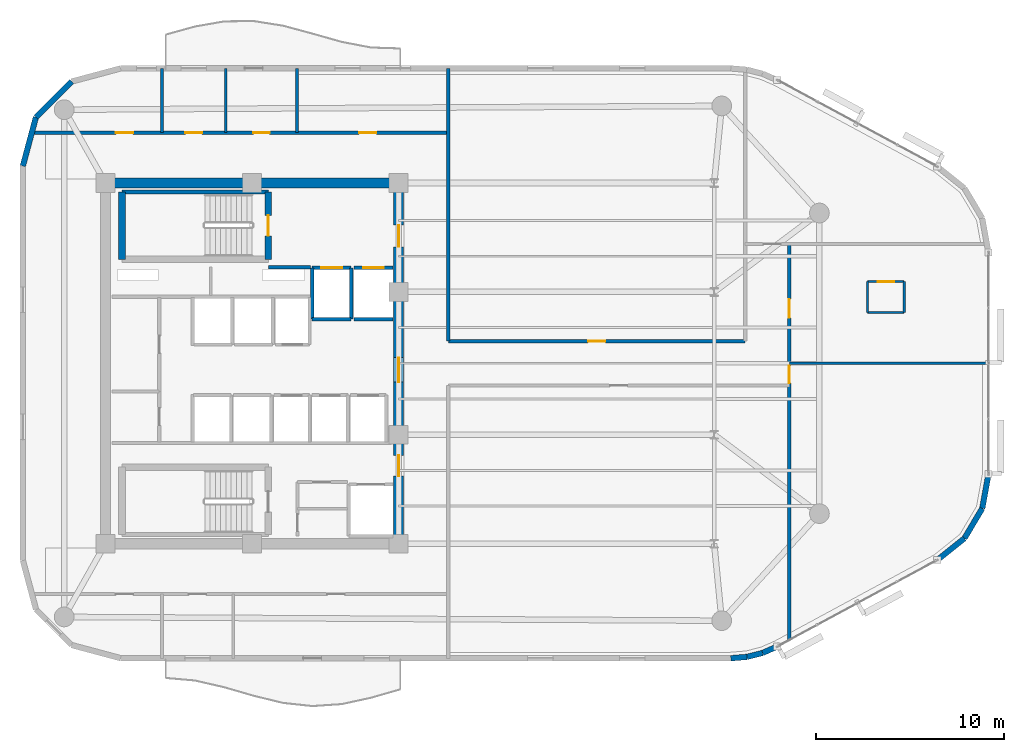
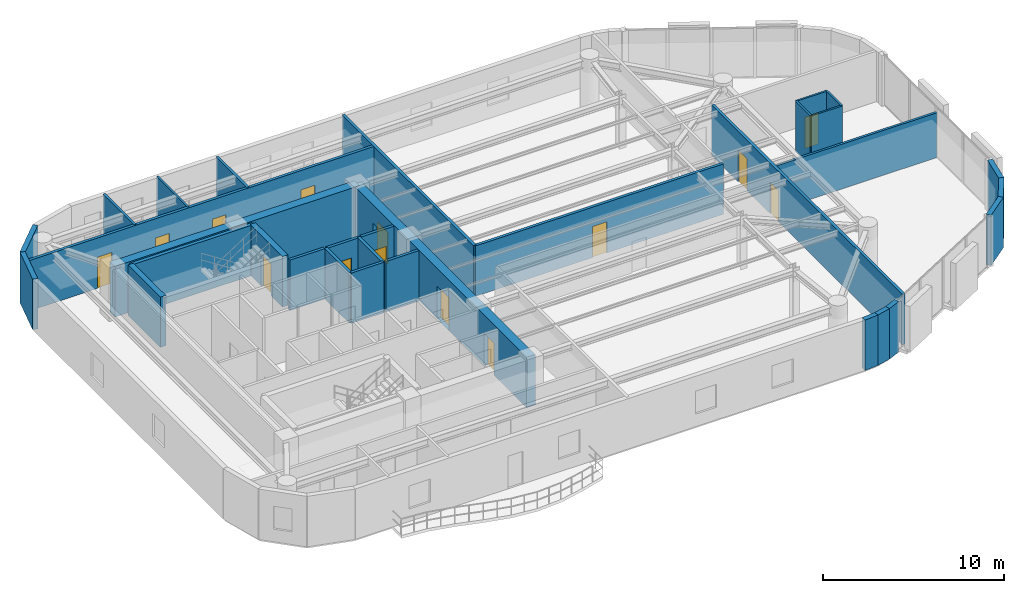
# One storey, part 10 of 13: 32 walls, 14 doors, 14 openings.
"""IFC4 building model written with IfcOpenShell, lengths in metres."""

from ifc_helpers import new_model, si_unit, direction, frame, frame_2d, origin, place, context, subcontext, project, spatial, rectangle, extrude, material, layer, layer_set, type_object, element, fill, save


model = new_model("IFC4")

# Units and contexts
model_context = context("Model", 3, precision=1e-05, world=origin(), true_north=direction((0.0, 1.0)))
body_context = subcontext(model_context, "Body", "Model", "MODEL_VIEW")
ifc_project = project(units=[si_unit("LENGTHUNIT", "METRE"), si_unit("AREAUNIT", "SQUARE_METRE"), si_unit("VOLUMEUNIT", "CUBIC_METRE"), si_unit("PLANEANGLEUNIT", "RADIAN"), si_unit("MASSUNIT", "GRAM", prefix="KILO")], contexts=[model_context])

# Site, building, storey
site_placement = place(None, origin())
site = spatial("IfcSite", under=ifc_project, at=site_placement, CompositionType="ELEMENT")
building_placement = place(site_placement, origin())
building = spatial("IfcBuilding", under=site, at=building_placement, Name="An Khanh Terracotta Commons", CompositionType="ELEMENT")
storey_placement = place(building_placement, frame((0.0, 0.0, 201.300048828125)))
storey = spatial("IfcBuildingStorey", under=building, at=storey_placement, Name="L52", CompositionType="ELEMENT", Elevation=201.300048828125)

# Wall
ifc_material_1 = material(Name="Concrete C50/60", Category="concrete")
ifc_layer_1 = layer(ifc_material_1, 0.550048828125, Name="Concrete C50/60")
ifc_layer_set_1 = layer_set([ifc_layer_1], Name="Concrete C50/60")
wall_type_1 = type_object("IfcWallType", Name="WALL-CORE-550", PredefinedType="SHEAR", material=ifc_layer_set_1)
wall_1_placement = place(storey_placement, frame((21.60009765625, 33.60009765625, 0.0), z_axis=(0.0, 0.0, 1.0), x_axis=(1.0, 0.0, 0.0)))
element("IfcWall", 1, at=wall_1_placement, inside=storey, type_object=wall_type_1, Name="L52 Core Wall CWALL-L52-N", PredefinedType="SHEAR", context=body_context, shape_type="SweptSolid", body=[
    extrude(rectangle(XDim=15.599853515625, YDim=0.550048828125, at=frame_2d((7.7998046875, 0.0))), origin(), (0.0, 0.0, 1.0), 3.39990234375),
])

# Wall, openings, doors
wall_2_placement = place(storey_placement, frame((37.199951171875, 14.39990234375, 0.0), z_axis=(0.0, 0.0, 1.0), x_axis=(0.0, 1.0, 0.0)))
wall_2 = element("IfcWall", 2, at=wall_2_placement, inside=storey, type_object=wall_type_1, Name="L52 Core Wall CWALL-L52-E", PredefinedType="SHEAR", context=body_context, shape_type="SweptSolid", body=[
    extrude(rectangle(XDim=19.2001953125, YDim=0.550048828125, at=frame_2d((9.60009765625, 0.0))), origin(), (0.0, 0.0, 1.0), 3.39990234375),
])
opening_1_placement = place(wall_2_placement, frame((15.800048828125, 0.0, 0.0)))
opening_1 = element("IfcOpeningElement", 3, at=opening_1_placement, cuts=wall_2, Name="Opening D-FFL", PredefinedType="OPENING", context=body_context, shape_type="SweptSolid", body=[
    extrude(rectangle(XDim=1.14990234375, YDim=2.14990234375, at=frame_2d((0.574951171875, 1.074951171875))), frame((0.0, 0.284912109375, 0.0), z_axis=(0.0, -1.0, 0.0), x_axis=(1.0, 0.0, 0.0)), (0.0, 0.0, 1.0), 0.570068359375),
])
opening_2_placement = place(wall_2_placement, frame((3.60009765625, 0.0, 0.0)))
opening_2 = element("IfcOpeningElement", 4, at=opening_2_placement, cuts=wall_2, Name="Opening D-ST", PredefinedType="OPENING", context=body_context, shape_type="SweptSolid", body=[
    extrude(rectangle(XDim=1.10009765625, YDim=2.14990234375, at=frame_2d((0.550048828125, 1.074951171875))), frame((0.0, 0.284912109375, 0.0), z_axis=(0.0, -1.0, 0.0), x_axis=(1.0, 0.0, 0.0)), (0.0, 0.0, 1.0), 0.570068359375),
])
opening_3_placement = place(wall_2_placement, frame((8.60009765625, 0.0, 0.0)))
opening_3 = element("IfcOpeningElement", 5, at=opening_3_placement, cuts=wall_2, Name="Opening D-COR", PredefinedType="OPENING", context=body_context, shape_type="SweptSolid", body=[
    extrude(rectangle(XDim=1.300048828125, YDim=2.199951171875, at=frame_2d((0.64990234375, 1.10009765625))), frame((0.0, 0.284912109375, 0.0), z_axis=(0.0, -1.0, 0.0), x_axis=(1.0, 0.0, 0.0)), (0.0, 0.0, 1.0), 0.570068359375),
])
ifc_material_2 = material(Name="Fire-Rated Glazed Steel Double Door", Category="steel")
door_type_1 = type_object("IfcDoorType", Name="DOOR-CORR-1300", OperationType="NOTDEFINED", PredefinedType="DOOR", material=ifc_material_2)
door_1_placement = place(opening_3_placement, origin())
door_1 = element("IfcDoor", 6, at=door_1_placement, inside=storey, type_object=door_type_1, Name="L52 Passenger Lift Lobby Double Door", OperationType="DOUBLE_DOOR_SINGLE_SWING", OverallHeight=2.199951171875, OverallWidth=1.300048828125, PredefinedType="DOOR", context=body_context, shape_type="SweptSolid", body=[
    extrude(rectangle(XDim=1.300048828125, YDim=2.199951171875, at=frame_2d((0.64990234375, 1.10009765625))), frame((0.0, 0.02490234375, 0.0), z_axis=(0.0, -1.0, 0.0), x_axis=(1.0, 0.0, 0.0)), (0.0, 0.0, 1.0), 0.050048828125),
])
fill(opening_3, door_1)
ifc_material_3 = material(Name="Fire-Rated Steel Leaf and Vision Panel", Category="steel")
door_type_2 = type_object("IfcDoorType", Name="DOOR-FFL-1150", OperationType="NOTDEFINED", PredefinedType="DOOR", material=ifc_material_3)
door_2_placement = place(opening_1_placement, origin())
door_2 = element("IfcDoor", 7, at=door_2_placement, inside=storey, type_object=door_type_2, Name="L52 Firefighting Lift Lobby Fire Door", OperationType="SINGLE_SWING_RIGHT", OverallHeight=2.14990234375, OverallWidth=1.14990234375, PredefinedType="DOOR", context=body_context, shape_type="SweptSolid", body=[
    extrude(rectangle(XDim=1.14990234375, YDim=2.14990234375, at=frame_2d((0.574951171875, 1.074951171875))), frame((0.0, 0.02490234375, 0.0), z_axis=(0.0, -1.0, 0.0), x_axis=(1.0, 0.0, 0.0)), (0.0, 0.0, 1.0), 0.050048828125),
])
fill(opening_1, door_2)
ifc_material_4 = material(Name="Fire-Rated Steel Leaf and Frame", Category="steel")
door_type_3 = type_object("IfcDoorType", Name="DOOR-STAIR-1100", OperationType="NOTDEFINED", PredefinedType="DOOR", material=ifc_material_4)
door_3_placement = place(opening_2_placement, origin())
door_3 = element("IfcDoor", 8, at=door_3_placement, inside=storey, type_object=door_type_3, Name="L52 South Stair Lobby Fire Door", OperationType="SINGLE_SWING_LEFT", OverallHeight=2.14990234375, OverallWidth=1.10009765625, PredefinedType="DOOR", context=body_context, shape_type="SweptSolid", body=[
    extrude(rectangle(XDim=1.10009765625, YDim=2.14990234375, at=frame_2d((0.550048828125, 1.074951171875))), frame((0.0, 0.02490234375, 0.0), z_axis=(0.0, -1.0, 0.0), x_axis=(1.0, 0.0, 0.0)), (0.0, 0.0, 1.0), 0.050048828125),
])
fill(opening_2, door_3)

# Wall
ifc_material_5 = material(Name="Fire-Rated Gypsum Board on Steel Stud", Category="steel")
ifc_layer_2 = layer(ifc_material_5, 0.179931640625, Name="Fire-Rated Gypsum Board on Steel Stud")
ifc_layer_set_2 = layer_set([ifc_layer_2], Name="Fire-Rated Gypsum Board on Steel Stud")
wall_type_2 = type_object("IfcWallType", Name="WALL-CORR-180", PredefinedType="PARTITIONING", material=ifc_layer_set_2)
wall_3_placement = place(storey_placement, frame((30.27001953125, 29.1201171875, 0.0), z_axis=(0.0, 0.0, 1.0), x_axis=(1.0, 0.0, 0.0)))
element("IfcWall", 9, at=wall_3_placement, inside=storey, type_object=wall_type_2, Name="L52 Core Wall FFLW-L52-S", PredefinedType="PARTITIONING", context=body_context, shape_type="SweptSolid", body=[
    extrude(rectangle(XDim=2.239990234375, YDim=0.179931640625, at=frame_2d((1.1201171875, 0.0))), origin(), (0.0, 0.0, 1.0), 3.39990234375),
])

# Wall, opening, door
wall_4_placement = place(storey_placement, frame((32.60009765625, 29.080078125, 0.0), z_axis=(0.0, 0.0, 1.0), x_axis=(1.0, 0.0, 0.0)))
wall_4 = element("IfcWall", 10, at=wall_4_placement, inside=storey, type_object=wall_type_2, Name="L52 Core Wall LSH-L52-FFL-01-N", PredefinedType="PARTITIONING", context=body_context, shape_type="SweptSolid", body=[
    extrude(rectangle(XDim=2.079833984375, YDim=0.179931640625, at=frame_2d((1.0400390625, 0.0))), origin(), (0.0, 0.0, 1.0), 3.39990234375),
])
opening_4_placement = place(wall_4_placement, frame((0.489990234375, 0.0, 0.0)))
opening_4 = element("IfcOpeningElement", 11, at=opening_4_placement, cuts=wall_4, Name="Opening LD-FFL-01-L52", PredefinedType="OPENING", context=body_context, shape_type="SweptSolid", body=[
    extrude(rectangle(XDim=1.10009765625, YDim=2.199951171875, at=frame_2d((0.550048828125, 1.10009765625))), frame((0.0, 0.099853515625, 0.0), z_axis=(0.0, -1.0, 0.0), x_axis=(1.0, 0.0, 0.0)), (0.0, 0.0, 1.0), 0.199951171875),
])
ifc_material_6 = material(Name="Brushed Stainless Steel Fire Landing Door", Category="steel")
door_type_4 = type_object("IfcDoorType", Name="DOOR-LD-FFL-1100", OperationType="NOTDEFINED", PredefinedType="DOOR", material=ifc_material_6)
door_4_placement = place(opening_4_placement, origin())
door_4 = element("IfcDoor", 12, at=door_4_placement, inside=storey, type_object=door_type_4, Name="L52 Lift FFL-01 Sliding Landing Door", OperationType="DOUBLE_DOOR_SLIDING", OverallHeight=2.199951171875, OverallWidth=1.10009765625, PredefinedType="DOOR", context=body_context, shape_type="SweptSolid", body=[
    extrude(rectangle(XDim=1.10009765625, YDim=2.199951171875, at=frame_2d((0.550048828125, 1.10009765625))), frame((0.0, 0.02490234375, 0.0), z_axis=(0.0, -1.0, 0.0), x_axis=(1.0, 0.0, 0.0)), (0.0, 0.0, 1.0), 0.050048828125),
])
fill(opening_4, door_4)

# Walls
wall_5_placement = place(storey_placement, frame((34.679931640625, 26.35009765625, 0.0), z_axis=(0.0, 0.0, 1.0), x_axis=(-1.0, 0.0, 0.0)))
element("IfcWall", 13, at=wall_5_placement, inside=storey, type_object=wall_type_2, Name="L52 Core Wall LSH-L52-FFL-01-S", PredefinedType="PARTITIONING", context=body_context, shape_type="SweptSolid", body=[
    extrude(rectangle(XDim=2.079833984375, YDim=0.179931640625, at=frame_2d((1.0400390625, 0.0))), origin(), (0.0, 0.0, 1.0), 3.39990234375),
])
for number, where, z_axis, x_axis, name in (
    (14, (34.679931640625, 26.35009765625, 0.0), (0.0, 0.0, 1.0), (0.0, 1.0, 0.0), "L52 Core Wall LSH-L52-FFL-01-E"),
    (15, (32.60009765625, 29.080078125, 0.0), (0.0, 0.0, 1.0), (0.0, -1.0, 0.0), "L52 Core Wall LSH-L52-FFL-01-W"),
):
    element("IfcWall", number, at=place(storey_placement, frame(where, z_axis=z_axis, x_axis=x_axis)), inside=storey, type_object=wall_type_2, Name=name, PredefinedType="PARTITIONING", context=body_context, shape_type="SweptSolid", body=[
        extrude(rectangle(XDim=2.72998046875, YDim=0.179931640625, at=frame_2d((1.364990234375, 0.0))), origin(), (0.0, 0.0, 1.0), 3.39990234375),
    ])

# Wall, opening, door
wall_6_placement = place(storey_placement, frame((34.820068359375, 29.080078125, 0.0), z_axis=(0.0, 0.0, 1.0), x_axis=(1.0, 0.0, 0.0)))
wall_6 = element("IfcWall", 16, at=wall_6_placement, inside=storey, type_object=wall_type_2, Name="L52 Core Wall LSH-L52-FFL-02-N", PredefinedType="PARTITIONING", context=body_context, shape_type="SweptSolid", body=[
    extrude(rectangle(XDim=2.079833984375, YDim=0.179931640625, at=frame_2d((1.0400390625, 0.0))), origin(), (0.0, 0.0, 1.0), 3.39990234375),
])
opening_5_placement = place(wall_6_placement, frame((0.489990234375, 0.0, 0.0)))
opening_5 = element("IfcOpeningElement", 17, at=opening_5_placement, cuts=wall_6, Name="Opening LD-FFL-02-L52", PredefinedType="OPENING", context=body_context, shape_type="SweptSolid", body=[
    extrude(rectangle(XDim=1.10009765625, YDim=2.199951171875, at=frame_2d((0.550048828125, 1.10009765625))), frame((0.0, 0.099853515625, 0.0), z_axis=(0.0, -1.0, 0.0), x_axis=(1.0, 0.0, 0.0)), (0.0, 0.0, 1.0), 0.199951171875),
])
door_5_placement = place(opening_5_placement, origin())
door_5 = element("IfcDoor", 18, at=door_5_placement, inside=storey, type_object=door_type_4, Name="L52 Lift FFL-02 Sliding Landing Door", OperationType="DOUBLE_DOOR_SLIDING", OverallHeight=2.199951171875, OverallWidth=1.10009765625, PredefinedType="DOOR", context=body_context, shape_type="SweptSolid", body=[
    extrude(rectangle(XDim=1.10009765625, YDim=2.199951171875, at=frame_2d((0.550048828125, 1.10009765625))), frame((0.0, 0.02490234375, 0.0), z_axis=(0.0, -1.0, 0.0), x_axis=(1.0, 0.0, 0.0)), (0.0, 0.0, 1.0), 0.050048828125),
])
fill(opening_5, door_5)

# Wall
wall_7_placement = place(storey_placement, frame((36.89990234375, 26.35009765625, 0.0), z_axis=(0.0, 0.0, 1.0), x_axis=(-1.0, 0.0, 0.0)))
element("IfcWall", 19, at=wall_7_placement, inside=storey, type_object=wall_type_2, Name="L52 Core Wall LSH-L52-FFL-02-S", PredefinedType="PARTITIONING", context=body_context, shape_type="SweptSolid", body=[
    extrude(rectangle(XDim=2.079833984375, YDim=0.179931640625, at=frame_2d((1.0400390625, 0.0))), origin(), (0.0, 0.0, 1.0), 3.39990234375),
])

# Wall, opening, door
wall_8_placement = place(storey_placement, frame((39.85009765625, 25.179931640625, 0.0), z_axis=(0.0, 0.0, 1.0), x_axis=(1.0, 0.0, 0.0)))
wall_8 = element("IfcWall", 20, at=wall_8_placement, inside=storey, type_object=wall_type_2, Name="L52 Interior Partition IW-L52-E004", PredefinedType="PARTITIONING", context=body_context, shape_type="SweptSolid", body=[
    extrude(rectangle(XDim=15.7998046875, YDim=0.179931640625, at=frame_2d((7.89990234375, 0.0))), origin(), (0.0, 0.0, 1.0), 3.39990234375),
])
opening_6_placement = place(wall_8_placement, frame((7.43994140625, 0.0, 0.0)))
opening_6 = element("IfcOpeningElement", 21, at=opening_6_placement, cuts=wall_8, Name="Opening D-RM", PredefinedType="OPENING", context=body_context, shape_type="SweptSolid", body=[
    extrude(rectangle(XDim=0.919921875, YDim=2.10009765625, at=frame_2d((0.4599609375, 1.050048828125))), frame((0.0, 0.099853515625, 0.0), z_axis=(0.0, -1.0, 0.0), x_axis=(1.0, 0.0, 0.0)), (0.0, 0.0, 1.0), 0.199951171875),
])
ifc_material_7 = material(Name="Engineered Hardwood Timber Leaf", Category="wood")
door_type_5 = type_object("IfcDoorType", Name="DOOR-INT-920", OperationType="NOTDEFINED", PredefinedType="DOOR", material=ifc_material_7)
door_6_placement = place(opening_6_placement, origin())
door_6 = element("IfcDoor", 22, at=door_6_placement, inside=storey, type_object=door_type_5, Name="L52 ZW1 Collaborative Study Lounge Door", OperationType="SINGLE_SWING_RIGHT", OverallHeight=2.10009765625, OverallWidth=0.919921875, PredefinedType="DOOR", context=body_context, shape_type="SweptSolid", body=[
    extrude(rectangle(XDim=0.919921875, YDim=2.10009765625, at=frame_2d((0.4599609375, 1.050048828125))), frame((0.0, 0.02490234375, 0.0), z_axis=(0.0, -1.0, 0.0), x_axis=(1.0, 0.0, 0.0)), (0.0, 0.0, 1.0), 0.050048828125),
])
fill(opening_6, door_6)

# Wall, openings, doors
wall_9_placement = place(storey_placement, frame((17.677001953125, 36.280029296875, 0.0), z_axis=(0.0, 0.0, 1.0), x_axis=(1.0, 0.0, 0.0)))
wall_9 = element("IfcWall", 23, at=wall_9_placement, inside=storey, type_object=wall_type_2, Name="L52 Interior Partition IW-L52-E006", PredefinedType="PARTITIONING", context=body_context, shape_type="SweptSolid", body=[
    extrude(rectangle(XDim=22.173095703125, YDim=0.179931640625, at=frame_2d((11.08642578125, 0.0))), origin(), (0.0, 0.0, 1.0), 3.39990234375),
])
opening_7_placement = place(wall_9_placement, frame((8.173095703125, 0.0, 0.0)))
opening_7 = element("IfcOpeningElement", 24, at=opening_7_placement, cuts=wall_9, Name="Opening D-WC", PredefinedType="OPENING", context=body_context, shape_type="SweptSolid", body=[
    extrude(rectangle(XDim=0.89990234375, YDim=2.10009765625, at=frame_2d((0.449951171875, 1.050048828125))), frame((0.0, 0.099853515625, 0.0), z_axis=(0.0, -1.0, 0.0), x_axis=(1.0, 0.0, 0.0)), (0.0, 0.0, 1.0), 0.199951171875),
])
opening_8_placement = place(wall_9_placement, frame((11.79296875, 0.0, 0.0)))
opening_8 = element("IfcOpeningElement", 25, at=opening_8_placement, cuts=wall_9, Name="Opening D-ENS", PredefinedType="OPENING", context=body_context, shape_type="SweptSolid", body=[
    extrude(rectangle(XDim=0.860107421875, YDim=2.10009765625, at=frame_2d((0.43017578125, 1.050048828125))), frame((0.0, 0.099853515625, 0.0), z_axis=(0.0, -1.0, 0.0), x_axis=(1.0, 0.0, 0.0)), (0.0, 0.0, 1.0), 0.199951171875),
])
opening_9_placement = place(wall_9_placement, frame((4.47900390625, 0.0, 0.0)))
opening_9 = element("IfcOpeningElement", 26, at=opening_9_placement, cuts=wall_9, Name="Opening D-RM", PredefinedType="OPENING", context=body_context, shape_type="SweptSolid", body=[
    extrude(rectangle(XDim=0.919921875, YDim=2.10009765625, at=frame_2d((0.4599609375, 1.050048828125))), frame((0.0, 0.099853515625, 0.0), z_axis=(0.0, -1.0, 0.0), x_axis=(1.0, 0.0, 0.0)), (0.0, 0.0, 1.0), 0.199951171875),
])
opening_10_placement = place(wall_9_placement, frame((17.427978515625, 0.0, 0.0)))
opening_10 = element("IfcOpeningElement", 27, at=opening_10_placement, cuts=wall_9, Name="Opening D-RM", PredefinedType="OPENING", context=body_context, shape_type="SweptSolid", body=[
    extrude(rectangle(XDim=0.919921875, YDim=2.10009765625, at=frame_2d((0.4599609375, 1.050048828125))), frame((0.0, 0.099853515625, 0.0), z_axis=(0.0, -1.0, 0.0), x_axis=(1.0, 0.0, 0.0)), (0.0, 0.0, 1.0), 0.199951171875),
])
ifc_material_8 = material(Name="Moisture-Resistant Hardwood Timber Leaf", Category="wood")
door_type_6 = type_object("IfcDoorType", Name="DOOR-BATH-860", OperationType="NOTDEFINED", PredefinedType="DOOR", material=ifc_material_8)
door_7_placement = place(opening_8_placement, origin())
door_7 = element("IfcDoor", 28, at=door_7_placement, inside=storey, type_object=door_type_6, Name="L52 SHW Resident Shared Shower and Washroom Door", OperationType="SINGLE_SWING_RIGHT", OverallHeight=2.10009765625, OverallWidth=0.860107421875, PredefinedType="DOOR", context=body_context, shape_type="SweptSolid", body=[
    extrude(rectangle(XDim=0.860107421875, YDim=2.10009765625, at=frame_2d((0.43017578125, 1.050048828125))), frame((0.0, 0.02490234375, 0.0), z_axis=(0.0, -1.0, 0.0), x_axis=(1.0, 0.0, 0.0)), (0.0, 0.0, 1.0), 0.050048828125),
])
fill(opening_8, door_7)
door_8_placement = place(opening_9_placement, origin())
door_8 = element("IfcDoor", 29, at=door_8_placement, inside=storey, type_object=door_type_5, Name="L52 NW1 Co-Living Private Bedroom Door", OperationType="SINGLE_SWING_LEFT", OverallHeight=2.10009765625, OverallWidth=0.919921875, PredefinedType="DOOR", context=body_context, shape_type="SweptSolid", body=[
    extrude(rectangle(XDim=0.919921875, YDim=2.10009765625, at=frame_2d((0.4599609375, 1.050048828125))), frame((0.0, 0.02490234375, 0.0), z_axis=(0.0, -1.0, 0.0), x_axis=(1.0, 0.0, 0.0)), (0.0, 0.0, 1.0), 0.050048828125),
])
fill(opening_9, door_8)
door_9_placement = place(opening_10_placement, origin())
door_9 = element("IfcDoor", 30, at=door_9_placement, inside=storey, type_object=door_type_5, Name="L52 NWE Student Reading Library Door", OperationType="SINGLE_SWING_RIGHT", OverallHeight=2.10009765625, OverallWidth=0.919921875, PredefinedType="DOOR", context=body_context, shape_type="SweptSolid", body=[
    extrude(rectangle(XDim=0.919921875, YDim=2.10009765625, at=frame_2d((0.4599609375, 1.050048828125))), frame((0.0, 0.02490234375, 0.0), z_axis=(0.0, -1.0, 0.0), x_axis=(1.0, 0.0, 0.0)), (0.0, 0.0, 1.0), 0.050048828125),
])
fill(opening_10, door_9)
ifc_material_9 = material(Name="Laminate Moisture-Resistant Timber Leaf", Category="wood")
door_type_7 = type_object("IfcDoorType", Name="DOOR-WC-900", OperationType="NOTDEFINED", PredefinedType="DOOR", material=ifc_material_9)
door_10_placement = place(opening_7_placement, origin())
door_10 = element("IfcDoor", 31, at=door_10_placement, inside=storey, type_object=door_type_7, Name="L52 AWC Accessible WC Door", OperationType="SINGLE_SWING_LEFT", OverallHeight=2.10009765625, OverallWidth=0.89990234375, PredefinedType="DOOR", context=body_context, shape_type="SweptSolid", body=[
    extrude(rectangle(XDim=0.89990234375, YDim=2.10009765625, at=frame_2d((0.449951171875, 1.050048828125))), frame((0.0, 0.02490234375, 0.0), z_axis=(0.0, -1.0, 0.0), x_axis=(1.0, 0.0, 0.0)), (0.0, 0.0, 1.0), 0.050048828125),
])
fill(opening_7, door_10)

# Wall
wall_10_placement = place(storey_placement, frame((39.85009765625, 25.179931640625, 0.0), z_axis=(0.0, 0.0, 1.0), x_axis=(0.0, 1.0, 0.0)))
element("IfcWall", 32, at=wall_10_placement, inside=storey, type_object=wall_type_2, Name="L52 Interior Partition IW-L52-E013", PredefinedType="PARTITIONING", context=body_context, shape_type="SweptSolid", body=[
    extrude(rectangle(XDim=14.52001953125, YDim=0.179931640625, at=frame_2d((7.260009765625, 0.0))), origin(), (0.0, 0.0, 1.0), 3.39990234375),
])

# Wall, openings, doors
wall_11_placement = place(storey_placement, frame((58.0, 9.27197265625, 0.0), z_axis=(0.0, 0.0, 1.0), x_axis=(0.0, 1.0, 0.0)))
wall_11 = element("IfcWall", 33, at=wall_11_placement, inside=storey, type_object=wall_type_2, Name="L52 Interior Partition IW-L52-E015", PredefinedType="PARTITIONING", context=body_context, shape_type="SweptSolid", body=[
    extrude(rectangle(XDim=21.078125, YDim=0.179931640625, at=frame_2d((10.5390625, 0.0))), origin(), (0.0, 0.0, 1.0), 3.39990234375),
])
opening_11_placement = place(wall_11_placement, frame((17.14306640625, 0.0, 0.0)))
opening_11 = element("IfcOpeningElement", 34, at=opening_11_placement, cuts=wall_11, Name="Opening D-UN", PredefinedType="OPENING", context=body_context, shape_type="SweptSolid", body=[
    extrude(rectangle(XDim=1.0, YDim=2.14990234375, at=frame_2d((0.5, 1.074951171875))), frame((0.0, 0.099853515625, 0.0), z_axis=(0.0, -1.0, 0.0), x_axis=(1.0, 0.0, 0.0)), (0.0, 0.0, 1.0), 0.199951171875),
])
opening_12_placement = place(wall_11_placement, frame((13.677978515625, 0.0, 0.0)))
opening_12 = element("IfcOpeningElement", 35, at=opening_12_placement, cuts=wall_11, Name="Opening D-RM", PredefinedType="OPENING", context=body_context, shape_type="SweptSolid", body=[
    extrude(rectangle(XDim=0.919921875, YDim=2.10009765625, at=frame_2d((0.4599609375, 1.050048828125))), frame((0.0, 0.099853515625, 0.0), z_axis=(0.0, -1.0, 0.0), x_axis=(1.0, 0.0, 0.0)), (0.0, 0.0, 1.0), 0.199951171875),
])
door_11_placement = place(opening_12_placement, origin())
door_11 = element("IfcDoor", 36, at=door_11_placement, inside=storey, type_object=door_type_5, Name="L52 ZE2 Collaborative Study Lounge Door", OperationType="SINGLE_SWING_RIGHT", OverallHeight=2.10009765625, OverallWidth=0.919921875, PredefinedType="DOOR", context=body_context, shape_type="SweptSolid", body=[
    extrude(rectangle(XDim=0.919921875, YDim=2.10009765625, at=frame_2d((0.4599609375, 1.050048828125))), frame((0.0, 0.02490234375, 0.0), z_axis=(0.0, -1.0, 0.0), x_axis=(1.0, 0.0, 0.0)), (0.0, 0.0, 1.0), 0.050048828125),
])
fill(opening_12, door_11)
ifc_material_10 = material(Name="Solid-Core Hardwood Acoustic Fire Door", Category="wood")
door_type_8 = type_object("IfcDoorType", Name="DOOR-UNIT-1000", OperationType="NOTDEFINED", PredefinedType="DOOR", material=ifc_material_10)
door_12_placement = place(opening_11_placement, origin())
door_12 = element("IfcDoor", 37, at=door_12_placement, inside=storey, type_object=door_type_8, Name="L52 ZE1 Kitchenette and Studio Apartment Door", OperationType="SINGLE_SWING_LEFT", OverallHeight=2.14990234375, OverallWidth=1.0, PredefinedType="DOOR", context=body_context, shape_type="SweptSolid", body=[
    extrude(rectangle(XDim=1.0, YDim=2.14990234375, at=frame_2d((0.5, 1.074951171875))), frame((0.0, 0.02490234375, 0.0), z_axis=(0.0, -1.0, 0.0), x_axis=(1.0, 0.0, 0.0)), (0.0, 0.0, 1.0), 0.050048828125),
])
fill(opening_11, door_12)

# Walls
ifc_material_11 = material(Name="Precast concrete C40/50", Category="concrete")
ifc_layer_3 = layer(ifc_material_11, 0.300048828125, Name="Precast concrete C40/50")
ifc_layer_set_3 = layer_set([ifc_layer_3], Name="Precast concrete C40/50")
wall_type_3 = type_object("IfcWallType", Name="WALL-EXT-300", PredefinedType="SOLIDWALL", material=ifc_layer_set_3)
wall_12_placement = place(storey_placement, frame((54.885009765625, 8.300048828125, 0.0), z_axis=(0.0, 0.0, 1.0), x_axis=(0.996565355958, 0.082809971041, 0.0)))
element("IfcWall", 38, at=wall_12_placement, inside=storey, type_object=wall_type_3, Name="L52 Insulated Terracotta Exterior Wall 5", PredefinedType="SOLIDWALL", context=body_context, shape_type="SweptSolid", body=[
    extrude(rectangle(XDim=0.85791015625, YDim=0.300048828125, at=frame_2d((0.428955078125, 0.0))), origin(), (0.0, 0.0, 1.0), 3.39990234375),
])
wall_13_placement = place(storey_placement, frame((55.739990234375, 8.37109375, 0.0), z_axis=(0.0, 0.0, 1.0), x_axis=(0.969536346338, 0.244947490555, 0.0)))
element("IfcWall", 39, at=wall_13_placement, inside=storey, type_object=wall_type_3, Name="L52 Insulated Terracotta Exterior Wall 6", PredefinedType="SOLIDWALL", context=body_context, shape_type="SweptSolid", body=[
    extrude(rectangle(XDim=0.857177734375, YDim=0.300048828125, at=frame_2d((0.4287109375, 0.0))), origin(), (0.0, 0.0, 1.0), 3.39990234375),
])
wall_14_placement = place(storey_placement, frame((56.571044921875, 8.5810546875, 0.0), z_axis=(0.0, 0.0, 1.0), x_axis=(0.916085473636, 0.400983048261, 0.0)))
element("IfcWall", 40, at=wall_14_placement, inside=storey, type_object=wall_type_3, Name="L52 Insulated Terracotta Exterior Wall 7", PredefinedType="SOLIDWALL", context=body_context, shape_type="SweptSolid", body=[
    extrude(rectangle(XDim=0.85791015625, YDim=0.300048828125, at=frame_2d((0.428955078125, 0.0))), origin(), (0.0, 0.0, 1.0), 3.39990234375),
])
wall_15_placement = place(storey_placement, frame((65.8720703125, 13.52587890625, 0.0), z_axis=(0.0, 0.0, 1.0), x_axis=(0.780920189257, 0.624630817372, 0.0)))
element("IfcWall", 41, at=wall_15_placement, inside=storey, type_object=wall_type_3, Name="L52 Insulated Terracotta Exterior Wall 9", PredefinedType="SOLIDWALL", context=body_context, shape_type="SweptSolid", body=[
    extrude(rectangle(XDim=1.854248046875, YDim=0.300048828125, at=frame_2d((0.92724609375, 0.0))), origin(), (0.0, 0.0, 1.0), 3.39990234375),
])
wall_16_placement = place(storey_placement, frame((67.320068359375, 14.68408203125, 0.0), z_axis=(0.0, 0.0, 1.0), x_axis=(0.512072018927, 0.858942516955, 0.0)))
element("IfcWall", 42, at=wall_16_placement, inside=storey, type_object=wall_type_3, Name="L52 Insulated Terracotta Exterior Wall 10", PredefinedType="SOLIDWALL", context=body_context, shape_type="SweptSolid", body=[
    extrude(rectangle(XDim=1.853271484375, YDim=0.300048828125, at=frame_2d((0.9267578125, 0.0))), origin(), (0.0, 0.0, 1.0), 3.39990234375),
])
wall_17_placement = place(storey_placement, frame((68.26904296875, 16.27587890625, 0.0), z_axis=(0.0, 0.0, 1.0), x_axis=(0.178468469252, 0.983945631365, 0.0)))
element("IfcWall", 43, at=wall_17_placement, inside=storey, type_object=wall_type_3, Name="L52 Insulated Terracotta Exterior Wall 11", PredefinedType="SOLIDWALL", context=body_context, shape_type="SweptSolid", body=[
    extrude(rectangle(XDim=1.85498046875, YDim=0.300048828125, at=frame_2d((0.927490234375, 0.0))), origin(), (0.0, 0.0, 1.0), 3.39990234375),
])
wall_18_placement = place(storey_placement, frame((19.800048828125, 39.0029296875, 0.0), z_axis=(0.0, 0.0, 1.0), x_axis=(-0.707152139074, -0.70706142039, 0.0)))
element("IfcWall", 44, at=wall_18_placement, inside=storey, type_object=wall_type_3, Name="L52 Insulated Terracotta Exterior Wall 22", PredefinedType="SOLIDWALL", context=body_context, shape_type="SweptSolid", body=[
    extrude(rectangle(XDim=2.691162109375, YDim=0.300048828125, at=frame_2d((1.345703125, 0.0))), origin(), (0.0, 0.0, 1.0), 3.39990234375),
])
wall_19_placement = place(storey_placement, frame((17.89697265625, 37.10009765625, 0.0), z_axis=(0.0, 0.0, 1.0), x_axis=(-0.258932525951, -0.965895412042, 0.0)))
element("IfcWall", 45, at=wall_19_placement, inside=storey, type_object=wall_type_3, Name="L52 Insulated Terracotta Exterior Wall 23", PredefinedType="SOLIDWALL", context=body_context, shape_type="SweptSolid", body=[
    extrude(rectangle(XDim=2.69189453125, YDim=0.300048828125, at=frame_2d((1.345947265625, 0.0))), origin(), (0.0, 0.0, 1.0), 3.39990234375),
])
ifc_material_12 = material(Name="Acoustic Gypsum Board Partition")
ifc_layer_4 = layer(ifc_material_12, 0.14990234375, Name="Acoustic Gypsum Board Partition")
ifc_layer_set_4 = layer_set([ifc_layer_4], Name="Acoustic Gypsum Board Partition")
wall_type_4 = type_object("IfcWallType", Name="WALL-PART-150", PredefinedType="PARTITIONING", material=ifc_layer_set_4)
wall_20_placement = place(storey_placement, frame((58.0, 24.0, 0.0), z_axis=(0.0, 0.0, 1.0), x_axis=(1.0, 0.0, 0.0)))
element("IfcWall", 46, at=wall_20_placement, inside=storey, type_object=wall_type_4, Name="L52 Interior Partition IW-L52-E003", PredefinedType="PARTITIONING", context=body_context, shape_type="SweptSolid", body=[
    extrude(rectangle(XDim=10.60009765625, YDim=0.14990234375, at=frame_2d((5.300048828125, 0.0))), origin(), (0.0, 0.0, 1.0), 3.02197265625),
])
for number, where, z_axis, x_axis, name in (
    (47, (24.60009765625, 36.280029296875, 0.0), (0.0, 0.0, 1.0), (0.0, 1.0, 0.0), "L52 Interior Partition IW-L52-E008"),
    (48, (31.800048828125, 36.280029296875, 0.0), (0.0, 0.0, 1.0), (0.0, 1.0, 0.0), "L52 Interior Partition IW-L52-E011"),
):
    element("IfcWall", number, at=place(storey_placement, frame(where, z_axis=z_axis, x_axis=x_axis)), inside=storey, type_object=wall_type_4, Name=name, PredefinedType="PARTITIONING", context=body_context, shape_type="SweptSolid", body=[
        extrude(rectangle(XDim=3.419921875, YDim=0.14990234375, at=frame_2d((1.7099609375, 0.0))), origin(), (0.0, 0.0, 1.0), 3.39990234375),
    ])
ifc_material_13 = material(Name="Acoustic Double-Stud Gypsum and Mineral Wool")
ifc_layer_5 = layer(ifc_material_13, 0.219970703125, Name="Acoustic Double-Stud Gypsum and Mineral Wool")
ifc_layer_set_5 = layer_set([ifc_layer_5], Name="Acoustic Double-Stud Gypsum and Mineral Wool")
wall_type_5 = type_object("IfcWallType", Name="WALL-PARTY-220", PredefinedType="PARTITIONING", material=ifc_layer_set_5)
wall_21_placement = place(storey_placement, frame((22.47998046875, 33.110107421875, 0.0), z_axis=(0.0, 0.0, 1.0), x_axis=(1.0, 0.0, 0.0)))
element("IfcWall", 49, at=wall_21_placement, inside=storey, type_object=wall_type_5, Name="L52 Core Wall STW-L52-N-N", PredefinedType="PARTITIONING", context=body_context, shape_type="SweptSolid", body=[
    extrude(rectangle(XDim=7.7900390625, YDim=0.219970703125, at=frame_2d((3.89501953125, 0.0))), origin(), (0.0, 0.0, 1.0), 3.39990234375),
])
ifc_layer_6 = layer(ifc_material_1, 0.35009765625, Name="Concrete C50/60")
ifc_layer_set_6 = layer_set([ifc_layer_6], Name="Concrete C50/60")
wall_type_6 = type_object("IfcWallType", Name="WALL-SHAFT-350", PredefinedType="SOLIDWALL", material=ifc_layer_set_6)
wall_22_placement = place(storey_placement, frame((22.47998046875, 29.530029296875, 0.0), z_axis=(0.0, 0.0, 1.0), x_axis=(0.0, 1.0, 0.0)))
element("IfcWall", 50, at=wall_22_placement, inside=storey, type_object=wall_type_6, Name="L52 Core Wall STW-L52-N-W", PredefinedType="SOLIDWALL", context=body_context, shape_type="SweptSolid", body=[
    extrude(rectangle(XDim=3.580078125, YDim=0.35009765625, at=frame_2d((1.7900390625, 0.0))), origin(), (0.0, 0.0, 1.0), 3.39990234375),
])

# Wall, opening, door
wall_23_placement = place(storey_placement, frame((30.27001953125, 29.530029296875, 0.0), z_axis=(0.0, 0.0, 1.0), x_axis=(0.0, 1.0, 0.0)))
wall_23 = element("IfcWall", 51, at=wall_23_placement, inside=storey, type_object=wall_type_6, Name="L52 Core Wall STW-L52-N-E", PredefinedType="SOLIDWALL", context=body_context, shape_type="SweptSolid", body=[
    extrude(rectangle(XDim=3.580078125, YDim=0.35009765625, at=frame_2d((1.7900390625, 0.0))), origin(), (0.0, 0.0, 1.0), 3.39990234375),
])
opening_13_placement = place(wall_23_placement, frame((1.25, 0.0, 0.0)))
opening_13 = element("IfcOpeningElement", 52, at=opening_13_placement, cuts=wall_23, Name="Opening D-ST", PredefinedType="OPENING", context=body_context, shape_type="SweptSolid", body=[
    extrude(rectangle(XDim=1.10009765625, YDim=2.14990234375, at=frame_2d((0.550048828125, 1.074951171875))), frame((0.0, 0.18505859375, 0.0), z_axis=(0.0, -1.0, 0.0), x_axis=(1.0, 0.0, 0.0)), (0.0, 0.0, 1.0), 0.3701171875),
])
door_13_placement = place(opening_13_placement, origin())
door_13 = element("IfcDoor", 53, at=door_13_placement, inside=storey, type_object=door_type_3, Name="L52 Stair ST-01 Fire Door", OperationType="SINGLE_SWING_RIGHT", OverallHeight=2.14990234375, OverallWidth=1.10009765625, PredefinedType="DOOR", context=body_context, shape_type="SweptSolid", body=[
    extrude(rectangle(XDim=1.10009765625, YDim=2.14990234375, at=frame_2d((0.550048828125, 1.074951171875))), frame((0.0, 0.02490234375, 0.0), z_axis=(0.0, -1.0, 0.0), x_axis=(1.0, 0.0, 0.0)), (0.0, 0.0, 1.0), 0.050048828125),
])
fill(opening_13, door_13)

ifc_material_14 = material(Name="Moisture-Resistant Cement Board Partition")
ifc_layer_7 = layer(ifc_material_14, 0.1201171875, Name="Moisture-Resistant Cement Board Partition")
ifc_layer_set_7 = layer_set([ifc_layer_7], Name="Moisture-Resistant Cement Board Partition")
wall_type_7 = type_object("IfcWallType", Name="WALL-WET-120", PredefinedType="PARTITIONING", material=ifc_layer_set_7)
wall_24_placement = place(storey_placement, frame((62.1650390625, 28.35009765625, 0.0), z_axis=(0.0, 0.0, 1.0), x_axis=(1.0, 0.0, 0.0)))
wall_24 = element("IfcWall", 54, at=wall_24_placement, inside=storey, type_object=wall_type_7, Name="L52 Interior Partition IW-L52-ZE1-BN", PredefinedType="PARTITIONING", context=body_context, shape_type="SweptSolid", body=[
    extrude(rectangle(XDim=1.949951171875, YDim=0.1201171875, at=frame_2d((0.97509765625, 0.0))), origin(), (0.0, 0.0, 1.0), 3.39990234375),
])
opening_14_placement = place(wall_24_placement, frame((0.544921875, 0.0, 0.0)))
opening_14 = element("IfcOpeningElement", 55, at=opening_14_placement, cuts=wall_24, Name="Opening D-ENS", PredefinedType="OPENING", context=body_context, shape_type="SweptSolid", body=[
    extrude(rectangle(XDim=0.860107421875, YDim=2.10009765625, at=frame_2d((0.43017578125, 1.050048828125))), frame((0.0, 0.070068359375, 0.0), z_axis=(0.0, -1.0, 0.0), x_axis=(1.0, 0.0, 0.0)), (0.0, 0.0, 1.0), 0.14013671875),
])
door_14_placement = place(opening_14_placement, origin())
door_14 = element("IfcDoor", 56, at=door_14_placement, inside=storey, type_object=door_type_6, Name="L52 Studio ZE1 En-suite Door", OperationType="SINGLE_SWING_RIGHT", OverallHeight=2.10009765625, OverallWidth=0.860107421875, PredefinedType="DOOR", context=body_context, shape_type="SweptSolid", body=[
    extrude(rectangle(XDim=0.860107421875, YDim=2.10009765625, at=frame_2d((0.43017578125, 1.050048828125))), frame((0.0, 0.02490234375, 0.0), z_axis=(0.0, -1.0, 0.0), x_axis=(1.0, 0.0, 0.0)), (0.0, 0.0, 1.0), 0.050048828125),
])
fill(opening_14, door_14)

# Walls
wall_25_placement = place(storey_placement, frame((64.114990234375, 26.699951171875, 0.0), z_axis=(0.0, 0.0, 1.0), x_axis=(-1.0, 0.0, 0.0)))
element("IfcWall", 57, at=wall_25_placement, inside=storey, type_object=wall_type_7, Name="L52 Interior Partition IW-L52-ZE1-BS", PredefinedType="PARTITIONING", context=body_context, shape_type="SweptSolid", body=[
    extrude(rectangle(XDim=1.949951171875, YDim=0.1201171875, at=frame_2d((0.97509765625, 0.0))), origin(), (0.0, 0.0, 1.0), 3.39990234375),
])
for number, where, z_axis, x_axis, name in (
    (58, (62.1650390625, 28.35009765625, 0.0), (0.0, 0.0, 1.0), (0.0, -1.0, 0.0), "L52 Interior Partition IW-L52-ZE1-BW"),
    (59, (64.114990234375, 26.699951171875, 0.0), (0.0, 0.0, 1.0), (0.0, 1.0, 0.0), "L52 Interior Partition IW-L52-ZE1-BE"),
):
    element("IfcWall", number, at=place(storey_placement, frame(where, z_axis=z_axis, x_axis=x_axis)), inside=storey, type_object=wall_type_7, Name=name, PredefinedType="PARTITIONING", context=body_context, shape_type="SweptSolid", body=[
        extrude(rectangle(XDim=1.650146484375, YDim=0.1201171875, at=frame_2d((0.8251953125, 0.0))), origin(), (0.0, 0.0, 1.0), 3.39990234375),
    ])
wall_26_placement = place(storey_placement, frame((28.0, 36.280029296875, 0.0), z_axis=(0.0, 0.0, 1.0), x_axis=(0.0, 1.0, 0.0)))
element("IfcWall", 60, at=wall_26_placement, inside=storey, type_object=wall_type_7, Name="L52 Interior Partition IW-L52-E009", PredefinedType="PARTITIONING", context=body_context, shape_type="SweptSolid", body=[
    extrude(rectangle(XDim=3.419921875, YDim=0.1201171875, at=frame_2d((1.7099609375, 0.0))), origin(), (0.0, 0.0, 1.0), 3.39990234375),
])

save(model, "model.ifc")
